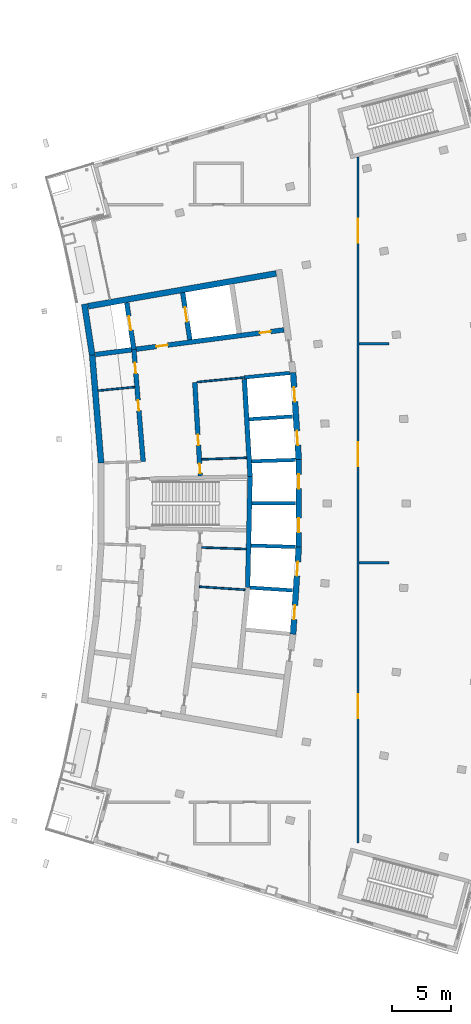
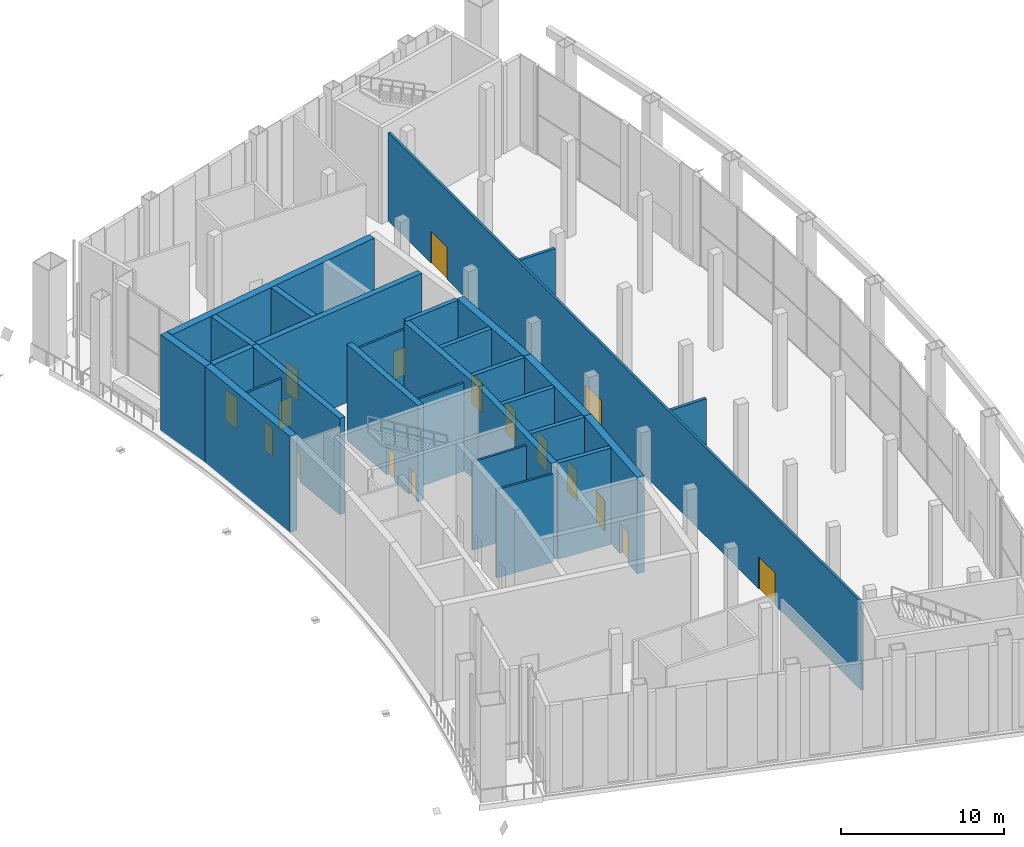
# One storey, part 15 of 25: 28 walls, 17 doors, 17 openings.
"""IFC4 building model written with IfcOpenShell, lengths in metres."""

from ifc_helpers import new_model, si_unit, direction, frame, frame_2d, origin, place, context, subcontext, project, spatial, rectangle, extrude, material, layer, layer_set, type_object, element, fill, save


model = new_model("IFC4")

# Units and contexts
model_context = context("Model", 3, precision=1e-05, world=origin(), true_north=direction((0.0, 1.0)))
body_context = subcontext(model_context, "Body", "Model", "MODEL_VIEW")
ifc_project = project(units=[si_unit("LENGTHUNIT", "METRE"), si_unit("AREAUNIT", "SQUARE_METRE"), si_unit("VOLUMEUNIT", "CUBIC_METRE"), si_unit("PLANEANGLEUNIT", "RADIAN"), si_unit("MASSUNIT", "GRAM", prefix="KILO")], contexts=[model_context])

# Site, building, storey
site_placement = place(None, origin())
site = spatial("IfcSite", under=ifc_project, at=site_placement, CompositionType="ELEMENT")
building_placement = place(site_placement, origin())
building = spatial("IfcBuilding", under=site, at=building_placement, Name="Alderwake Tower", CompositionType="ELEMENT")
storey_placement = place(building_placement, frame((0.0, 0.0, 288.800048828125)))
storey = spatial("IfcBuildingStorey", under=building, at=storey_placement, Name="L72", CompositionType="ELEMENT", Elevation=288.800048828125)

# Walls
ifc_material_1 = material(Name="Gypsum shaft wall system, rated")
ifc_layer_1 = layer(ifc_material_1, 0.14990234375)
ifc_layer_set_1 = layer_set([ifc_layer_1], Name="Core riser partition 150")
wall_type_1 = type_object("IfcWallType", Name="Core riser partition 150", PredefinedType="PARTITIONING", material=ifc_layer_set_1)
wall_1_placement = place(storey_placement, frame((25.1904296875, 57.276611328125, 0.0), z_axis=(0.0, 0.0, 1.0), x_axis=(0.99937350076, -0.035392173974, 0.0)))
element("IfcWall", 1, at=wall_1_placement, inside=storey, type_object=wall_type_1, Name="CW/L72/PR-37_+86", PredefinedType="PARTITIONING", context=body_context, shape_type="SweptSolid", body=[
    extrude(rectangle(XDim=3.752685546875, YDim=0.14990234375, at=frame_2d((1.87646484375, 0.0))), origin(), (0.0, 0.0, 1.0), 6.599853515625),
])
wall_2_placement = place(storey_placement, frame((25.191162109375, 64.723388671875, 0.0), z_axis=(0.0, 0.0, 1.0), x_axis=(0.999373627871, 0.035388584556, 0.0)))
element("IfcWall", 2, at=wall_2_placement, inside=storey, type_object=wall_type_1, Name="CW/L72/PR+37_+86", PredefinedType="PARTITIONING", context=body_context, shape_type="SweptSolid", body=[
    extrude(rectangle(XDim=3.79443359375, YDim=0.14990234375, at=frame_2d((1.897216796875, 0.0))), origin(), (0.0, 0.0, 1.0), 6.599853515625),
])
ifc_material_2 = material(Name="Gypsum shaft wall system, rated")
ifc_layer_2 = layer(ifc_material_2, 0.14990234375)
ifc_layer_set_2 = layer_set([ifc_layer_2], Name="Core room partition 150")
wall_type_2 = type_object("IfcWallType", Name="Core room partition 150", PredefinedType="PARTITIONING", material=ifc_layer_set_2)
wall_3_placement = place(storey_placement, frame((24.990234375, 53.96142578125, 0.0), z_axis=(0.0, 0.0, 1.0), x_axis=(0.997758824467, -0.06691284031, 0.0)))
element("IfcWall", 3, at=wall_3_placement, inside=storey, type_object=wall_type_2, Name="CW/L72/PR-70_+86", PredefinedType="PARTITIONING", context=body_context, shape_type="SweptSolid", body=[
    extrude(rectangle(XDim=3.86767578125, YDim=0.14990234375, at=frame_2d((1.933837890625, 0.0))), origin(), (0.0, 0.0, 1.0), 6.599853515625),
])
wall_4_placement = place(storey_placement, frame((24.799560546875, 71.2548828125, 0.0), z_axis=(0.0, 0.0, 1.0), x_axis=(0.995250000627, 0.097352125046, 0.0)))
element("IfcWall", 4, at=wall_4_placement, inside=storey, type_object=wall_type_2, Name="CW/L72/PR+102_+86", PredefinedType="PARTITIONING", context=body_context, shape_type="SweptSolid", body=[
    extrude(rectangle(XDim=4.0, YDim=0.14990234375, at=frame_2d((2.0, 0.0))), origin(), (0.0, 0.0, 1.0), 6.599853515625),
])
wall_5_placement = place(storey_placement, frame((16.4638671875, 70.5322265625, 0.0), z_axis=(0.0, 0.0, 1.0), x_axis=(0.995153954228, 0.098329077004, 0.0)))
element("IfcWall", 5, at=wall_5_placement, inside=storey, type_object=wall_type_2, Name="CW/L72/PR+103_+0", PredefinedType="PARTITIONING", context=body_context, shape_type="SweptSolid", body=[
    extrude(rectangle(XDim=3.06640625, YDim=0.14990234375, at=frame_2d((1.533203125, 0.0))), origin(), (0.0, 0.0, 1.0), 6.599853515625),
])
ifc_material_3 = material(Name="Concrete C70/85", Category="concrete")
ifc_layer_3 = layer(ifc_material_3, 0.5)
ifc_layer_set_3 = layer_set([ifc_layer_3], Name="Core wall outer 500 C70-85")
wall_type_3 = type_object("IfcWallType", Name="Core wall outer 500 C70-85", PredefinedType="SHEAR", material=ifc_layer_set_3)
wall_6_placement = place(storey_placement, frame((16.690185546875, 64.41162109375, 0.0), z_axis=(0.0, 0.0, 1.0), x_axis=(-0.082611702064, 0.996581811334, 0.0)))
element("IfcWall", 6, at=wall_6_placement, inside=storey, type_object=wall_type_3, Name="Core wall CW.026", PredefinedType="SHEAR", context=body_context, shape_type="SweptSolid", body=[
    extrude(rectangle(XDim=9.176025390625, YDim=0.5, at=frame_2d((4.587890625, 0.0))), origin(), (0.0, 0.0, 1.0), 7.199951171875),
])
wall_7_placement = place(storey_placement, frame((15.934326171875, 73.5380859375, 0.0), z_axis=(0.0, 0.0, 1.0), x_axis=(-0.151947718368, 0.988388532351, 0.0)))
element("IfcWall", 7, at=wall_7_placement, inside=storey, type_object=wall_type_3, Name="Core wall CW.025", PredefinedType="SHEAR", context=body_context, shape_type="SweptSolid", body=[
    extrude(rectangle(XDim=4.357421875, YDim=0.5, at=frame_2d((2.1787109375, 0.0))), origin(), (0.0, 0.0, 1.0), 7.199951171875),
])

# Wall, openings, doors
wall_8_placement = place(storey_placement, frame((32.91015625, 49.942138671875, 0.0), z_axis=(0.0, 0.0, 1.0), x_axis=(0.064980500916, 0.997886533881, 0.0)))
wall_8 = element("IfcWall", 8, at=wall_8_placement, inside=storey, type_object=wall_type_3, Name="Core wall CW.021", PredefinedType="SHEAR", context=body_context, shape_type="SweptSolid", body=[
    extrude(rectangle(XDim=7.39404296875, YDim=0.5, at=frame_2d((3.697021484375, 0.0))), origin(), (0.0, 0.0, 1.0), 7.199951171875),
])
opening_1_placement = place(wall_8_placement, frame((1.253173828125, 0.0, 0.0)))
opening_1 = element("IfcOpeningElement", 9, at=opening_1_placement, cuts=wall_8, Name="Opening LD-HP1", PredefinedType="OPENING", context=body_context, shape_type="SweptSolid", body=[
    extrude(rectangle(XDim=1.199951171875, YDim=2.300048828125, at=frame_2d((0.60009765625, 1.14990234375))), frame((0.0, 0.260009765625, 0.0), z_axis=(0.0, -1.0, 0.0), x_axis=(1.0, 0.0, 0.0)), (0.0, 0.0, 1.0), 0.52001953125),
])
opening_2_placement = place(wall_8_placement, frame((4.941650390625, 0.0, 0.0)))
opening_2 = element("IfcOpeningElement", 10, at=opening_2_placement, cuts=wall_8, Name="Opening LD-HP2", PredefinedType="OPENING", context=body_context, shape_type="SweptSolid", body=[
    extrude(rectangle(XDim=1.199951171875, YDim=2.300048828125, at=frame_2d((0.60009765625, 1.14990234375))), frame((0.0, 0.260009765625, 0.0), z_axis=(0.0, -1.0, 0.0), x_axis=(1.0, 0.0, 0.0)), (0.0, 0.0, 1.0), 0.52001953125),
])
ifc_material_4 = material(Name="Stainless steel sliding leaf", Category="steel")
door_type_1 = type_object("IfcDoorType", Name="Lift landing door 1200", OperationType="SLIDING_TO_LEFT", PredefinedType="DOOR", material=ifc_material_4)
door_1_placement = place(opening_1_placement, origin())
door_1 = element("IfcDoor", 11, at=door_1_placement, inside=storey, type_object=door_type_1, Name="Lift landing door HP1", OperationType="SLIDING_TO_LEFT", OverallHeight=2.300048828125, OverallWidth=1.199951171875, PredefinedType="DOOR", context=body_context, shape_type="SweptSolid", body=[
    extrude(rectangle(XDim=1.199951171875, YDim=2.300048828125, at=frame_2d((0.60009765625, 1.14990234375))), frame((0.0, 0.02490234375, 0.0), z_axis=(0.0, -1.0, 0.0), x_axis=(1.0, 0.0, 0.0)), (0.0, 0.0, 1.0), 0.050048828125),
])
fill(opening_1, door_1)
door_2_placement = place(opening_2_placement, origin())
door_2 = element("IfcDoor", 12, at=door_2_placement, inside=storey, type_object=door_type_1, Name="Lift landing door HP2", OperationType="SLIDING_TO_LEFT", OverallHeight=2.300048828125, OverallWidth=1.199951171875, PredefinedType="DOOR", context=body_context, shape_type="SweptSolid", body=[
    extrude(rectangle(XDim=1.199951171875, YDim=2.300048828125, at=frame_2d((0.60009765625, 1.14990234375))), frame((0.0, 0.02490234375, 0.0), z_axis=(0.0, -1.0, 0.0), x_axis=(1.0, 0.0, 0.0)), (0.0, 0.0, 1.0), 0.050048828125),
])
fill(opening_2, door_2)

wall_9_placement = place(storey_placement, frame((33.389892578125, 57.30322265625, 0.0), z_axis=(0.0, 0.0, 1.0), x_axis=(0.0, 1.0, 0.0)))
wall_9 = element("IfcWall", 13, at=wall_9_placement, inside=storey, type_object=wall_type_3, Name="Core wall CW.023", PredefinedType="SHEAR", context=body_context, shape_type="SweptSolid", body=[
    extrude(rectangle(XDim=7.3935546875, YDim=0.5, at=frame_2d((3.69677734375, 0.0))), origin(), (0.0, 0.0, 1.0), 7.199951171875),
])
opening_3_placement = place(wall_9_placement, frame((1.25244140625, 0.0, 0.0)))
opening_3 = element("IfcOpeningElement", 14, at=opening_3_placement, cuts=wall_9, Name="Opening LD-HP3", PredefinedType="OPENING", context=body_context, shape_type="SweptSolid", body=[
    extrude(rectangle(XDim=1.199951171875, YDim=2.300048828125, at=frame_2d((0.60009765625, 1.14990234375))), frame((0.0, 0.260009765625, 0.0), z_axis=(0.0, -1.0, 0.0), x_axis=(1.0, 0.0, 0.0)), (0.0, 0.0, 1.0), 0.52001953125),
])
opening_4_placement = place(wall_9_placement, frame((4.94091796875, 0.0, 0.0)))
opening_4 = element("IfcOpeningElement", 15, at=opening_4_placement, cuts=wall_9, Name="Opening LD-HP4", PredefinedType="OPENING", context=body_context, shape_type="SweptSolid", body=[
    extrude(rectangle(XDim=1.199951171875, YDim=2.300048828125, at=frame_2d((0.60009765625, 1.14990234375))), frame((0.0, 0.260009765625, 0.0), z_axis=(0.0, -1.0, 0.0), x_axis=(1.0, 0.0, 0.0)), (0.0, 0.0, 1.0), 0.52001953125),
])
door_3_placement = place(opening_3_placement, origin())
door_3 = element("IfcDoor", 16, at=door_3_placement, inside=storey, type_object=door_type_1, Name="Lift landing door HP3", OperationType="SLIDING_TO_LEFT", OverallHeight=2.300048828125, OverallWidth=1.199951171875, PredefinedType="DOOR", context=body_context, shape_type="SweptSolid", body=[
    extrude(rectangle(XDim=1.199951171875, YDim=2.300048828125, at=frame_2d((0.60009765625, 1.14990234375))), frame((0.0, 0.02490234375, 0.0), z_axis=(0.0, -1.0, 0.0), x_axis=(1.0, 0.0, 0.0)), (0.0, 0.0, 1.0), 0.050048828125),
])
fill(opening_3, door_3)
door_4_placement = place(opening_4_placement, origin())
door_4 = element("IfcDoor", 17, at=door_4_placement, inside=storey, type_object=door_type_1, Name="Lift landing door HP4", OperationType="SLIDING_TO_LEFT", OverallHeight=2.300048828125, OverallWidth=1.199951171875, PredefinedType="DOOR", context=body_context, shape_type="SweptSolid", body=[
    extrude(rectangle(XDim=1.199951171875, YDim=2.300048828125, at=frame_2d((0.60009765625, 1.14990234375))), frame((0.0, 0.02490234375, 0.0), z_axis=(0.0, -1.0, 0.0), x_axis=(1.0, 0.0, 0.0)), (0.0, 0.0, 1.0), 0.050048828125),
])
fill(opening_4, door_4)

wall_10_placement = place(storey_placement, frame((33.390625, 64.679443359375, 0.0), z_axis=(0.0, 0.0, 1.0), x_axis=(-0.064980500916, 0.997886533881, 0.0)))
wall_10 = element("IfcWall", 18, at=wall_10_placement, inside=storey, type_object=wall_type_3, Name="Core wall CW.020", PredefinedType="SHEAR", context=body_context, shape_type="SweptSolid", body=[
    extrude(rectangle(XDim=7.39404296875, YDim=0.5, at=frame_2d((3.697021484375, 0.0))), origin(), (0.0, 0.0, 1.0), 7.199951171875),
])
opening_5_placement = place(wall_10_placement, frame((1.25244140625, 0.0, 0.0)))
opening_5 = element("IfcOpeningElement", 19, at=opening_5_placement, cuts=wall_10, Name="Opening LD-HP5", PredefinedType="OPENING", context=body_context, shape_type="SweptSolid", body=[
    extrude(rectangle(XDim=1.199951171875, YDim=2.300048828125, at=frame_2d((0.60009765625, 1.14990234375))), frame((0.0, 0.260009765625, 0.0), z_axis=(0.0, -1.0, 0.0), x_axis=(1.0, 0.0, 0.0)), (0.0, 0.0, 1.0), 0.52001953125),
])
opening_6_placement = place(wall_10_placement, frame((4.94091796875, 0.0, 0.0)))
opening_6 = element("IfcOpeningElement", 20, at=opening_6_placement, cuts=wall_10, Name="Opening LD-HP6", PredefinedType="OPENING", context=body_context, shape_type="SweptSolid", body=[
    extrude(rectangle(XDim=1.199951171875, YDim=2.300048828125, at=frame_2d((0.60009765625, 1.14990234375))), frame((0.0, 0.260009765625, 0.0), z_axis=(0.0, -1.0, 0.0), x_axis=(1.0, 0.0, 0.0)), (0.0, 0.0, 1.0), 0.52001953125),
])
door_5_placement = place(opening_5_placement, origin())
door_5 = element("IfcDoor", 21, at=door_5_placement, inside=storey, type_object=door_type_1, Name="Lift landing door HP5", OperationType="SLIDING_TO_LEFT", OverallHeight=2.300048828125, OverallWidth=1.199951171875, PredefinedType="DOOR", context=body_context, shape_type="SweptSolid", body=[
    extrude(rectangle(XDim=1.199951171875, YDim=2.300048828125, at=frame_2d((0.60009765625, 1.14990234375))), frame((0.0, 0.02490234375, 0.0), z_axis=(0.0, -1.0, 0.0), x_axis=(1.0, 0.0, 0.0)), (0.0, 0.0, 1.0), 0.050048828125),
])
fill(opening_5, door_5)
door_6_placement = place(opening_6_placement, origin())
door_6 = element("IfcDoor", 22, at=door_6_placement, inside=storey, type_object=door_type_1, Name="Lift landing door HP6", OperationType="SLIDING_TO_LEFT", OverallHeight=2.300048828125, OverallWidth=1.199951171875, PredefinedType="DOOR", context=body_context, shape_type="SweptSolid", body=[
    extrude(rectangle(XDim=1.199951171875, YDim=2.300048828125, at=frame_2d((0.60009765625, 1.14990234375))), frame((0.0, 0.02490234375, 0.0), z_axis=(0.0, -1.0, 0.0), x_axis=(1.0, 0.0, 0.0)), (0.0, 0.0, 1.0), 0.050048828125),
])
fill(opening_6, door_6)

# Walls
wall_11_placement = place(storey_placement, frame((15.583251953125, 77.664306640625, 0.0), z_axis=(0.0, 0.0, 1.0), x_axis=(0.985139146221, 0.171758151429, 0.0)))
element("IfcWall", 23, at=wall_11_placement, inside=storey, type_object=wall_type_3, Name="Core wall CW.055", PredefinedType="SHEAR", context=body_context, shape_type="SweptSolid", body=[
    extrude(rectangle(XDim=16.134521484375, YDim=0.5, at=frame_2d((8.0673828125, 0.0))), origin(), (0.0, 0.0, 1.0), 7.199951171875),
])
ifc_material_5 = material(Name="Concrete C70/85", Category="concrete")
ifc_layer_4 = layer(ifc_material_5, 0.300048828125)
ifc_layer_set_4 = layer_set([ifc_layer_4], Name="Core wall shaft 300 C70-85")
wall_type_4 = type_object("IfcWallType", Name="Core wall shaft 300 C70-85", PredefinedType="SHEAR", material=ifc_layer_set_4)
wall_12_placement = place(storey_placement, frame((29.268798828125, 53.884521484375, 0.0), z_axis=(0.0, 0.0, 1.0), x_axis=(0.997885735437, -0.064992761217, 0.0)))
element("IfcWall", 24, at=wall_12_placement, inside=storey, type_object=wall_type_4, Name="Core wall CW.078", PredefinedType="SHEAR", context=body_context, shape_type="SweptSolid", body=[
    extrude(rectangle(XDim=3.60986328125, YDim=0.300048828125, at=frame_2d((1.804931640625, 0.0))), origin(), (0.0, 0.0, 1.0), 7.199951171875),
])
wall_13_placement = place(storey_placement, frame((29.347412109375, 57.443603515625, 0.0), z_axis=(0.0, 0.0, 1.0), x_axis=(0.99946995342, -0.032554757112, 0.0)))
element("IfcWall", 25, at=wall_13_placement, inside=storey, type_object=wall_type_4, Name="Core wall CW.075", PredefinedType="SHEAR", context=body_context, shape_type="SweptSolid", body=[
    extrude(rectangle(XDim=3.7646484375, YDim=0.300048828125, at=frame_2d((1.88232421875, 0.0))), origin(), (0.0, 0.0, 1.0), 7.199951171875),
])
wall_14_placement = place(storey_placement, frame((29.426025390625, 61.0, 0.0), z_axis=(0.0, 0.0, 1.0), x_axis=(1.0, 0.0, 0.0)))
element("IfcWall", 26, at=wall_14_placement, inside=storey, type_object=wall_type_4, Name="Core wall CW.048", PredefinedType="SHEAR", context=body_context, shape_type="SweptSolid", body=[
    extrude(rectangle(XDim=3.68408203125, YDim=0.300048828125, at=frame_2d((1.842041015625, 0.0))), origin(), (0.0, 0.0, 1.0), 7.199951171875),
])
wall_15_placement = place(storey_placement, frame((29.401611328125, 64.558349609375, 0.0), z_axis=(0.0, 0.0, 1.0), x_axis=(0.99947159852, 0.032504211301, 0.0)))
element("IfcWall", 27, at=wall_15_placement, inside=storey, type_object=wall_type_4, Name="Core wall CW.058", PredefinedType="SHEAR", context=body_context, shape_type="SweptSolid", body=[
    extrude(rectangle(XDim=3.71044921875, YDim=0.300048828125, at=frame_2d((1.855224609375, 0.0))), origin(), (0.0, 0.0, 1.0), 7.199951171875),
])
wall_16_placement = place(storey_placement, frame((29.193603515625, 68.110595703125, 0.0), z_axis=(0.0, 0.0, 1.0), x_axis=(0.997885994006, 0.064988791085, 0.0)))
element("IfcWall", 28, at=wall_16_placement, inside=storey, type_object=wall_type_4, Name="Core wall CW.061", PredefinedType="SHEAR", context=body_context, shape_type="SweptSolid", body=[
    extrude(rectangle(XDim=3.685302734375, YDim=0.300048828125, at=frame_2d((1.8427734375, 0.0))), origin(), (0.0, 0.0, 1.0), 7.199951171875),
])
wall_17_placement = place(storey_placement, frame((28.780517578125, 71.644287109375, 0.0), z_axis=(0.0, 0.0, 1.0), x_axis=(0.995244248631, 0.097410910928, 0.0)))
element("IfcWall", 29, at=wall_17_placement, inside=storey, type_object=wall_type_4, Name="Core wall CW.049", PredefinedType="SHEAR", context=body_context, shape_type="SweptSolid", body=[
    extrude(rectangle(XDim=3.86962890625, YDim=0.300048828125, at=frame_2d((1.934814453125, 0.0))), origin(), (0.0, 0.0, 1.0), 7.199951171875),
])

# Wall, openings, doors
ifc_material_6 = material(Name="Concrete C70/85", Category="concrete")
ifc_layer_5 = layer(ifc_material_6, 0.39990234375)
ifc_layer_set_5 = layer_set([ifc_layer_5], Name="Core wall spine 400 C70-85")
wall_type_5 = type_object("IfcWallType", Name="Core wall spine 400 C70-85", PredefinedType="SHEAR", material=ifc_layer_set_5)
wall_18_placement = place(storey_placement, frame((19.452392578125, 74.014892578125, 0.0), z_axis=(0.0, 0.0, 1.0), x_axis=(0.082628585297, -0.996580411654, 0.0)))
wall_18 = element("IfcWall", 30, at=wall_18_placement, inside=storey, type_object=wall_type_5, Name="Core wall CW.031", PredefinedType="SHEAR", context=body_context, shape_type="SweptSolid", body=[
    extrude(rectangle(XDim=9.499267578125, YDim=0.39990234375, at=frame_2d((4.74951171875, 0.0))), origin(), (0.0, 0.0, 1.0), 7.199951171875),
])
opening_7_placement = place(wall_18_placement, frame((4.30322265625, 0.0, 0.0)))
opening_7 = element("IfcOpeningElement", 31, at=opening_7_placement, cuts=wall_18, Name="Opening C052", PredefinedType="OPENING", context=body_context, shape_type="SweptSolid", body=[
    extrude(rectangle(XDim=0.89990234375, YDim=2.10009765625, at=frame_2d((0.449951171875, 1.050048828125))), frame((0.0, 0.2099609375, 0.0), z_axis=(0.0, -1.0, 0.0), x_axis=(1.0, 0.0, 0.0)), (0.0, 0.0, 1.0), 0.419921875),
])
opening_8_placement = place(wall_18_placement, frame((1.138671875, 0.0, 0.0)))
opening_8 = element("IfcOpeningElement", 32, at=opening_8_placement, cuts=wall_18, Name="Opening C056", PredefinedType="OPENING", context=body_context, shape_type="SweptSolid", body=[
    extrude(rectangle(XDim=0.89990234375, YDim=2.10009765625, at=frame_2d((0.449951171875, 1.050048828125))), frame((0.0, 0.2099609375, 0.0), z_axis=(0.0, -1.0, 0.0), x_axis=(1.0, 0.0, 0.0)), (0.0, 0.0, 1.0), 0.419921875),
])
ifc_material_7 = material(Name="Painted steel leaf", Category="steel")
door_type_2 = type_object("IfcDoorType", Name="Core room door 900", OperationType="SINGLE_SWING_LEFT", PredefinedType="DOOR", material=ifc_material_7)
door_7_placement = place(opening_7_placement, origin())
door_7 = element("IfcDoor", 33, at=door_7_placement, inside=storey, type_object=door_type_2, Name="Room door", OperationType="SINGLE_SWING_LEFT", OverallHeight=2.10009765625, OverallWidth=0.89990234375, PredefinedType="DOOR", context=body_context, shape_type="SweptSolid", body=[
    extrude(rectangle(XDim=0.89990234375, YDim=2.10009765625, at=frame_2d((0.449951171875, 1.050048828125))), frame((0.0, 0.02490234375, 0.0), z_axis=(0.0, -1.0, 0.0), x_axis=(1.0, 0.0, 0.0)), (0.0, 0.0, 1.0), 0.050048828125),
])
fill(opening_7, door_7)
door_8_placement = place(opening_8_placement, origin())
door_8 = element("IfcDoor", 34, at=door_8_placement, inside=storey, type_object=door_type_2, Name="Room door", OperationType="SINGLE_SWING_RIGHT", OverallHeight=2.10009765625, OverallWidth=0.89990234375, PredefinedType="DOOR", context=body_context, shape_type="SweptSolid", body=[
    extrude(rectangle(XDim=0.89990234375, YDim=2.10009765625, at=frame_2d((0.449951171875, 1.050048828125))), frame((0.0, 0.02490234375, 0.0), z_axis=(0.0, -1.0, 0.0), x_axis=(1.0, 0.0, 0.0)), (0.0, 0.0, 1.0), 0.050048828125),
])
fill(opening_8, door_8)

# Wall, opening, door
wall_19_placement = place(storey_placement, frame((19.4541015625, 74.00048828125, 0.0), z_axis=(0.0, 0.0, 1.0), x_axis=(-0.149461330246, 0.988767571657, 0.0)))
wall_19 = element("IfcWall", 35, at=wall_19_placement, inside=storey, type_object=wall_type_5, Name="Core wall CW.030", PredefinedType="SHEAR", context=body_context, shape_type="SweptSolid", body=[
    extrude(rectangle(XDim=4.01513671875, YDim=0.39990234375, at=frame_2d((2.007568359375, 0.0))), origin(), (0.0, 0.0, 1.0), 7.199951171875),
])
opening_9_placement = place(wall_19_placement, frame((1.6611328125, 0.0, 0.0)))
opening_9 = element("IfcOpeningElement", 36, at=opening_9_placement, cuts=wall_19, Name="Opening LD-FF1", PredefinedType="OPENING", context=body_context, shape_type="SweptSolid", body=[
    extrude(rectangle(XDim=1.199951171875, YDim=2.300048828125, at=frame_2d((0.60009765625, 1.14990234375))), frame((0.0, 0.2099609375, 0.0), z_axis=(0.0, -1.0, 0.0), x_axis=(1.0, 0.0, 0.0)), (0.0, 0.0, 1.0), 0.419921875),
])
door_9_placement = place(opening_9_placement, origin())
door_9 = element("IfcDoor", 37, at=door_9_placement, inside=storey, type_object=door_type_1, Name="Lift landing door FF1", OperationType="SLIDING_TO_LEFT", OverallHeight=2.300048828125, OverallWidth=1.199951171875, PredefinedType="DOOR", context=body_context, shape_type="SweptSolid", body=[
    extrude(rectangle(XDim=1.199951171875, YDim=2.300048828125, at=frame_2d((0.60009765625, 1.14990234375))), frame((0.0, 0.02490234375, 0.0), z_axis=(0.0, -1.0, 0.0), x_axis=(1.0, 0.0, 0.0)), (0.0, 0.0, 1.0), 0.050048828125),
])
fill(opening_9, door_9)

# Wall, openings, doors
wall_20_placement = place(storey_placement, frame((25.073974609375, 63.335693359375, 0.0), z_axis=(0.0, 0.0, 1.0), x_axis=(-0.059848641072, 0.998207463487, 0.0)))
wall_20 = element("IfcWall", 38, at=wall_20_placement, inside=storey, type_object=wall_type_5, Name="Core wall CW.045", PredefinedType="SHEAR", context=body_context, shape_type="SweptSolid", body=[
    extrude(rectangle(XDim=7.913818359375, YDim=0.39990234375, at=frame_2d((3.95703125, 0.0))), origin(), (0.0, 0.0, 1.0), 7.199951171875),
])
opening_10_placement = place(wall_20_placement, frame((0.216064453125, 0.0, 0.0)))
opening_10 = element("IfcOpeningElement", 39, at=opening_10_placement, cuts=wall_20, Name="Opening C005", PredefinedType="OPENING", context=body_context, shape_type="SweptSolid", body=[
    extrude(rectangle(XDim=0.800048828125, YDim=2.0, at=frame_2d((0.39990234375, 1.0))), frame((0.0, 0.2099609375, 0.0), z_axis=(0.0, -1.0, 0.0), x_axis=(1.0, 0.0, 0.0)), (0.0, 0.0, 1.0), 0.419921875),
])
opening_11_placement = place(wall_20_placement, frame((2.590087890625, 0.0, 0.0)))
opening_11 = element("IfcOpeningElement", 40, at=opening_11_placement, cuts=wall_20, Name="Opening C057", PredefinedType="OPENING", context=body_context, shape_type="SweptSolid", body=[
    extrude(rectangle(XDim=0.89990234375, YDim=2.10009765625, at=frame_2d((0.449951171875, 1.050048828125))), frame((0.0, 0.2099609375, 0.0), z_axis=(0.0, -1.0, 0.0), x_axis=(1.0, 0.0, 0.0)), (0.0, 0.0, 1.0), 0.419921875),
])
door_10_placement = place(opening_11_placement, origin())
door_10 = element("IfcDoor", 41, at=door_10_placement, inside=storey, type_object=door_type_2, Name="Room door", OperationType="SINGLE_SWING_LEFT", OverallHeight=2.10009765625, OverallWidth=0.89990234375, PredefinedType="DOOR", context=body_context, shape_type="SweptSolid", body=[
    extrude(rectangle(XDim=0.89990234375, YDim=2.10009765625, at=frame_2d((0.449951171875, 1.050048828125))), frame((0.0, 0.02490234375, 0.0), z_axis=(0.0, -1.0, 0.0), x_axis=(1.0, 0.0, 0.0)), (0.0, 0.0, 1.0), 0.050048828125),
])
fill(opening_11, door_10)
ifc_material_8 = material(Name="Painted steel leaf, rated", Category="steel")
door_type_3 = type_object("IfcDoorType", Name="Riser access door 800", OperationType="SINGLE_SWING_LEFT", PredefinedType="DOOR", material=ifc_material_8)
door_11_placement = place(opening_10_placement, origin())
door_11 = element("IfcDoor", 42, at=door_11_placement, inside=storey, type_object=door_type_3, Name="Riser access door", OperationType="SINGLE_SWING_LEFT", OverallHeight=2.0, OverallWidth=0.800048828125, PredefinedType="DOOR", context=body_context, shape_type="SweptSolid", body=[
    extrude(rectangle(XDim=0.800048828125, YDim=2.0, at=frame_2d((0.39990234375, 1.0))), frame((0.0, 0.02490234375, 0.0), z_axis=(0.0, -1.0, 0.0), x_axis=(1.0, 0.0, 0.0)), (0.0, 0.0, 1.0), 0.050048828125),
])
fill(opening_10, door_11)

# Wall, opening, door
wall_21_placement = place(storey_placement, frame((24.186279296875, 74.82861328125, 0.0), z_axis=(0.0, 0.0, 1.0), x_axis=(-0.150547717109, 0.988602743711, 0.0)))
wall_21 = element("IfcWall", 43, at=wall_21_placement, inside=storey, type_object=wall_type_5, Name="Core wall CW.044", PredefinedType="SHEAR", context=body_context, shape_type="SweptSolid", body=[
    extrude(rectangle(XDim=4.0234375, YDim=0.39990234375, at=frame_2d((2.01171875, 0.0))), origin(), (0.0, 0.0, 1.0), 7.199951171875),
])
opening_12_placement = place(wall_21_placement, frame((1.561767578125, 0.0, 0.0)))
opening_12 = element("IfcOpeningElement", 44, at=opening_12_placement, cuts=wall_21, Name="Opening LD-FF2", PredefinedType="OPENING", context=body_context, shape_type="SweptSolid", body=[
    extrude(rectangle(XDim=1.199951171875, YDim=2.300048828125, at=frame_2d((0.60009765625, 1.14990234375))), frame((0.0, 0.2099609375, 0.0), z_axis=(0.0, -1.0, 0.0), x_axis=(1.0, 0.0, 0.0)), (0.0, 0.0, 1.0), 0.419921875),
])
door_12_placement = place(opening_12_placement, origin())
door_12 = element("IfcDoor", 45, at=door_12_placement, inside=storey, type_object=door_type_1, Name="Lift landing door FF2", OperationType="SLIDING_TO_LEFT", OverallHeight=2.300048828125, OverallWidth=1.199951171875, PredefinedType="DOOR", context=body_context, shape_type="SweptSolid", body=[
    extrude(rectangle(XDim=1.199951171875, YDim=2.300048828125, at=frame_2d((0.60009765625, 1.14990234375))), frame((0.0, 0.02490234375, 0.0), z_axis=(0.0, -1.0, 0.0), x_axis=(1.0, 0.0, 0.0)), (0.0, 0.0, 1.0), 0.050048828125),
])
fill(opening_12, door_12)

# Walls
wall_22_placement = place(storey_placement, frame((29.06884765625, 53.8896484375, 0.0), z_axis=(0.0, 0.0, 1.0), x_axis=(0.022115722908, 0.99975541749, 0.0)))
element("IfcWall", 46, at=wall_22_placement, inside=storey, type_object=wall_type_5, Name="Core wall CW.008", PredefinedType="SHEAR", context=body_context, shape_type="SweptSolid", body=[
    extrude(rectangle(XDim=9.394287109375, YDim=0.39990234375, at=frame_2d((4.697265625, 0.0))), origin(), (0.0, 0.0, 1.0), 7.199951171875),
])
wall_23_placement = place(storey_placement, frame((29.27685546875, 63.2646484375, 0.0), z_axis=(0.0, 0.0, 1.0), x_axis=(-0.0584546922, 0.998290062537, 0.0)))
element("IfcWall", 47, at=wall_23_placement, inside=storey, type_object=wall_type_5, Name="Core wall CW.002", PredefinedType="SHEAR", context=body_context, shape_type="SweptSolid", body=[
    extrude(rectangle(XDim=8.24462890625, YDim=0.39990234375, at=frame_2d((4.122314453125, 0.0))), origin(), (0.0, 0.0, 1.0), 7.199951171875),
])
wall_24_placement = place(storey_placement, frame((16.210693359375, 73.583740234375, 0.0), z_axis=(0.0, 0.0, 1.0), x_axis=(0.991560893257, 0.129641794819, 0.0)))
element("IfcWall", 48, at=wall_24_placement, inside=storey, type_object=wall_type_5, Name="Core wall CW.051", PredefinedType="SHEAR", context=body_context, shape_type="SweptSolid", body=[
    extrude(rectangle(XDim=3.069580078125, YDim=0.39990234375, at=frame_2d((1.53466796875, 0.0))), origin(), (0.0, 0.0, 1.0), 7.199951171875),
])

# Wall, openings, doors
wall_25_placement = place(storey_placement, frame((32.132080078125, 75.666015625, 0.0), z_axis=(0.0, 0.0, 1.0), x_axis=(-0.991555139901, -0.129685791576, 0.0)))
wall_25 = element("IfcWall", 49, at=wall_25_placement, inside=storey, type_object=wall_type_5, Name="Core wall CW.052", PredefinedType="SHEAR", context=body_context, shape_type="SweptSolid", body=[
    extrude(rectangle(XDim=12.586669921875, YDim=0.39990234375, at=frame_2d((6.29345703125, 0.0))), origin(), (0.0, 0.0, 1.0), 7.199951171875),
])
opening_13_placement = place(wall_25_placement, frame((9.88720703125, 0.0, 0.0)))
opening_13 = element("IfcOpeningElement", 50, at=opening_13_placement, cuts=wall_25, Name="Opening C002", PredefinedType="OPENING", context=body_context, shape_type="SweptSolid", body=[
    extrude(rectangle(XDim=1.0, YDim=2.10009765625, at=frame_2d((0.5, 1.050048828125))), frame((0.0, 0.2099609375, 0.0), z_axis=(0.0, -1.0, 0.0), x_axis=(1.0, 0.0, 0.0)), (0.0, 0.0, 1.0), 0.419921875),
])
opening_14_placement = place(wall_25_placement, frame((1.13720703125, 0.0, 0.0)))
opening_14 = element("IfcOpeningElement", 51, at=opening_14_placement, cuts=wall_25, Name="Opening C020", PredefinedType="OPENING", context=body_context, shape_type="SweptSolid", body=[
    extrude(rectangle(XDim=0.89990234375, YDim=2.10009765625, at=frame_2d((0.449951171875, 1.050048828125))), frame((0.0, 0.2099609375, 0.0), z_axis=(0.0, -1.0, 0.0), x_axis=(1.0, 0.0, 0.0)), (0.0, 0.0, 1.0), 0.419921875),
])
door_13_placement = place(opening_14_placement, origin())
door_13 = element("IfcDoor", 52, at=door_13_placement, inside=storey, type_object=door_type_2, Name="Room door", OperationType="SINGLE_SWING_LEFT", OverallHeight=2.10009765625, OverallWidth=0.89990234375, PredefinedType="DOOR", context=body_context, shape_type="SweptSolid", body=[
    extrude(rectangle(XDim=0.89990234375, YDim=2.10009765625, at=frame_2d((0.449951171875, 1.050048828125))), frame((0.0, 0.02490234375, 0.0), z_axis=(0.0, -1.0, 0.0), x_axis=(1.0, 0.0, 0.0)), (0.0, 0.0, 1.0), 0.050048828125),
])
fill(opening_14, door_13)
ifc_material_9 = material(Name="Steel-framed fire door leaf", Category="steel")
door_type_4 = type_object("IfcDoorType", Name="Firefighting lobby door 1000 fire-rated", OperationType="SINGLE_SWING_LEFT", PredefinedType="DOOR", material=ifc_material_9)
door_14_placement = place(opening_13_placement, origin())
door_14 = element("IfcDoor", 53, at=door_14_placement, inside=storey, type_object=door_type_4, Name="Firefighting lobby door", OperationType="SINGLE_SWING_RIGHT", OverallHeight=2.10009765625, OverallWidth=1.0, PredefinedType="DOOR", context=body_context, shape_type="SweptSolid", body=[
    extrude(rectangle(XDim=1.0, YDim=2.10009765625, at=frame_2d((0.5, 1.050048828125))), frame((0.0, 0.02490234375, 0.0), z_axis=(0.0, -1.0, 0.0), x_axis=(1.0, 0.0, 0.0)), (0.0, 0.0, 1.0), 0.050048828125),
])
fill(opening_13, door_14)

ifc_material_10 = material(Name="Gypsum board on metal studs, rated")
ifc_layer_6 = layer(ifc_material_10, 0.159912109375)
ifc_layer_set_6 = layer_set([ifc_layer_6], Name="Corridor wall 160")
wall_type_6 = type_object("IfcWallType", Name="Corridor wall 160", PredefinedType="PARTITIONING", material=ifc_layer_set_6)
wall_26_placement = place(storey_placement, frame((38.39990234375, 32.31298828125, 0.0), z_axis=(0.0, 0.0, 1.0), x_axis=(0.0, 1.0, 0.0)))
wall_26 = element("IfcWall", 54, at=wall_26_placement, inside=storey, type_object=wall_type_6, Name="WL/L72/W15", PredefinedType="PARTITIONING", context=body_context, shape_type="SweptSolid", body=[
    extrude(rectangle(XDim=57.951904296875, YDim=0.159912109375, at=frame_2d((28.97607421875, 0.0))), origin(), (0.0, 0.0, 1.0), 6.599853515625),
])
opening_15_placement = place(wall_26_placement, frame((10.55126953125, 0.0, 0.0)))
opening_15 = element("IfcOpeningElement", 55, at=opening_15_placement, cuts=wall_26, Name="Opening L72-01", PredefinedType="OPENING", context=body_context, shape_type="SweptSolid", body=[
    extrude(rectangle(XDim=2.0, YDim=2.39990234375, at=frame_2d((1.0, 1.199951171875))), frame((0.0, 0.08984375, 0.0), z_axis=(0.0, -1.0, 0.0), x_axis=(1.0, 0.0, 0.0)), (0.0, 0.0, 1.0), 0.179931640625),
])
opening_16_placement = place(wall_26_placement, frame((31.8369140625, 0.0, 0.0)))
opening_16 = element("IfcOpeningElement", 56, at=opening_16_placement, cuts=wall_26, Name="Opening L72-02", PredefinedType="OPENING", context=body_context, shape_type="SweptSolid", body=[
    extrude(rectangle(XDim=2.0, YDim=2.39990234375, at=frame_2d((1.0, 1.199951171875))), frame((0.0, 0.08984375, 0.0), z_axis=(0.0, -1.0, 0.0), x_axis=(1.0, 0.0, 0.0)), (0.0, 0.0, 1.0), 0.179931640625),
])
opening_17_placement = place(wall_26_placement, frame((50.737060546875, 0.0, 0.0)))
opening_17 = element("IfcOpeningElement", 57, at=opening_17_placement, cuts=wall_26, Name="Opening L72-03", PredefinedType="OPENING", context=body_context, shape_type="SweptSolid", body=[
    extrude(rectangle(XDim=2.0, YDim=2.39990234375, at=frame_2d((1.0, 1.199951171875))), frame((0.0, 0.08984375, 0.0), z_axis=(0.0, -1.0, 0.0), x_axis=(1.0, 0.0, 0.0)), (0.0, 0.0, 1.0), 0.179931640625),
])
ifc_material_11 = material(Name="Timber leaves with glazed panels", Category="wood")
door_type_5 = type_object("IfcDoorType", Name="Hall double door 2000", OperationType="DOUBLE_DOOR_SINGLE_SWING", PredefinedType="DOOR", material=ifc_material_11)
door_15_placement = place(opening_15_placement, origin())
door_15 = element("IfcDoor", 58, at=door_15_placement, inside=storey, type_object=door_type_5, Name="DR/L72/01", OperationType="DOUBLE_DOOR_SINGLE_SWING", OverallHeight=2.39990234375, OverallWidth=2.0, PredefinedType="DOOR", context=body_context, shape_type="SweptSolid", body=[
    extrude(rectangle(XDim=2.0, YDim=2.39990234375, at=frame_2d((1.0, 1.199951171875))), frame((0.0, 0.02490234375, 0.0), z_axis=(0.0, -1.0, 0.0), x_axis=(1.0, 0.0, 0.0)), (0.0, 0.0, 1.0), 0.050048828125),
])
fill(opening_15, door_15)
door_16_placement = place(opening_16_placement, origin())
door_16 = element("IfcDoor", 59, at=door_16_placement, inside=storey, type_object=door_type_5, Name="DR/L72/02", OperationType="DOUBLE_DOOR_SINGLE_SWING", OverallHeight=2.39990234375, OverallWidth=2.0, PredefinedType="DOOR", context=body_context, shape_type="SweptSolid", body=[
    extrude(rectangle(XDim=2.0, YDim=2.39990234375, at=frame_2d((1.0, 1.199951171875))), frame((0.0, 0.02490234375, 0.0), z_axis=(0.0, -1.0, 0.0), x_axis=(1.0, 0.0, 0.0)), (0.0, 0.0, 1.0), 0.050048828125),
])
fill(opening_16, door_16)
door_17_placement = place(opening_17_placement, origin())
door_17 = element("IfcDoor", 60, at=door_17_placement, inside=storey, type_object=door_type_5, Name="DR/L72/03", OperationType="DOUBLE_DOOR_SINGLE_SWING", OverallHeight=2.39990234375, OverallWidth=2.0, PredefinedType="DOOR", context=body_context, shape_type="SweptSolid", body=[
    extrude(rectangle(XDim=2.0, YDim=2.39990234375, at=frame_2d((1.0, 1.199951171875))), frame((0.0, 0.02490234375, 0.0), z_axis=(0.0, -1.0, 0.0), x_axis=(1.0, 0.0, 0.0)), (0.0, 0.0, 1.0), 0.050048828125),
])
fill(opening_17, door_17)

# Walls
ifc_material_12 = material(Name="Dense block masonry wall", Category="masonry")
ifc_layer_7 = layer(ifc_material_12, 0.199951171875)
ifc_layer_set_7 = layer_set([ifc_layer_7], Name="Party wall 200")
wall_type_7 = type_object("IfcWallType", Name="Party wall 200", PredefinedType="SOLIDWALL", material=ifc_layer_set_7)
for number, where, z_axis, x_axis, name in (
    (61, (41.0009765625, 56.0009765625, 0.0), (0.0, 0.0, 1.0), (-1.0, 0.0, 0.0), "WL/L72/W07"),
    (62, (41.0009765625, 74.4990234375, 0.0), (0.0, 0.0, 1.0), (-1.0, 0.0, 0.0), "WL/L72/W08"),
):
    element("IfcWall", number, at=place(storey_placement, frame(where, z_axis=z_axis, x_axis=x_axis)), inside=storey, type_object=wall_type_7, Name=name, PredefinedType="SOLIDWALL", context=body_context, shape_type="SweptSolid", body=[
        extrude(rectangle(XDim=2.52099609375, YDim=0.199951171875, at=frame_2d((1.260498046875, 0.0))), origin(), (0.0, 0.0, 1.0), 6.599853515625),
    ])

save(model, "model.ifc")
